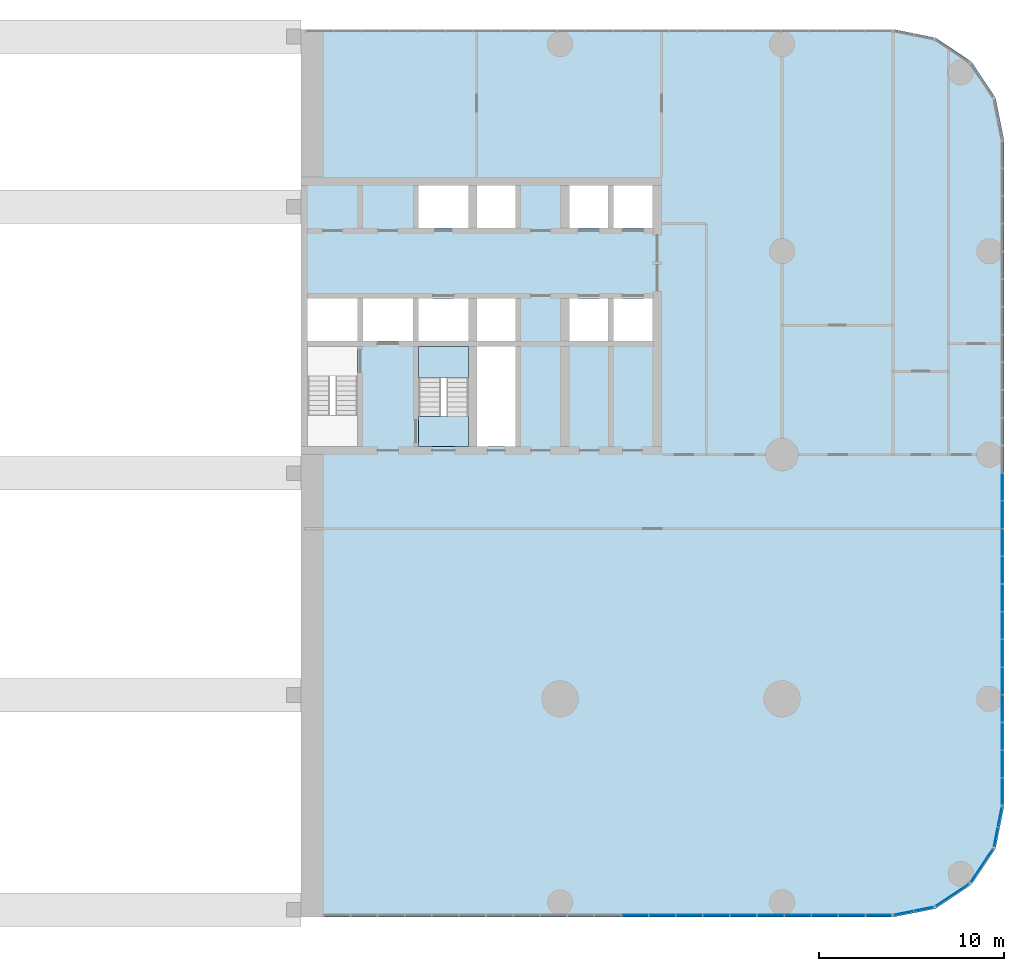
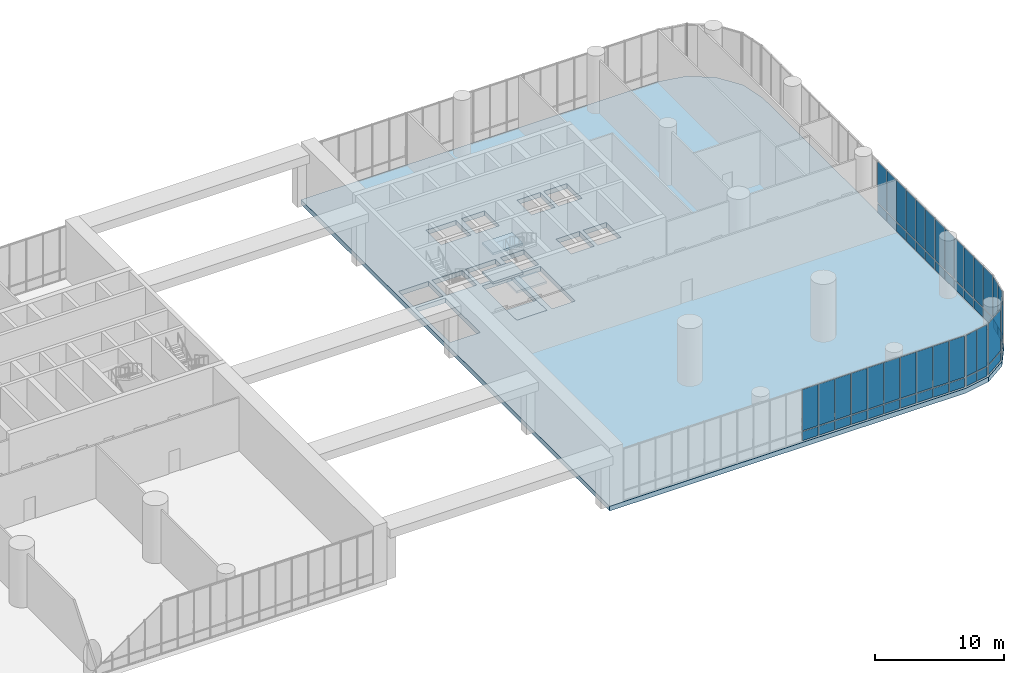
# One storey, part 22 of 30: 56 plates, 5 slabs, 7 elements without a shape of their own.
"""IFC4 building model written with IfcOpenShell, lengths in metres."""

from ifc_helpers import new_model, si_unit, direction, frame, origin, origin_2d, place, context, subcontext, project, spatial, polyline, rectangle, outline, extrude, material, layer, layer_set, type_object, element, aggregate, save


model = new_model("IFC4")

# Units and contexts
model_context = context("Model", 3, precision=1e-05, world=origin(), true_north=direction((0.0, 1.0)))
body_context = subcontext(model_context, "Body", "Model", "MODEL_VIEW")
ifc_project = project(units=[si_unit("LENGTHUNIT", "METRE"), si_unit("AREAUNIT", "SQUARE_METRE"), si_unit("VOLUMEUNIT", "CUBIC_METRE"), si_unit("PLANEANGLEUNIT", "RADIAN"), si_unit("MASSUNIT", "GRAM", prefix="KILO")], contexts=[model_context])

# Site, building, storey
site_placement = place(None, origin())
site = spatial("IfcSite", under=ifc_project, at=site_placement, CompositionType="ELEMENT")
building_placement = place(site_placement, origin())
building = spatial("IfcBuilding", under=site, at=building_placement, Name="Torana Hotel and Residences", CompositionType="ELEMENT")
storey_placement = place(building_placement, frame((0.0, 0.0, 12.5)))
storey = spatial("IfcBuildingStorey", under=building, at=storey_placement, Name="L02", CompositionType="ELEMENT", Elevation=12.5)

# Curtain wall, plates
ifc_material_1 = material(Name="Dark anodised aluminium", Category="aluminium")
ifc_layer_1 = layer(ifc_material_1, 0.14990234375)
ifc_layer_set_1 = layer_set([ifc_layer_1], Name="CW5 PODIUM UPPER UNITISED CURTAIN WALL")
curtain_wall_type = type_object("IfcCurtainWallType", Name="CW5 PODIUM UPPER UNITISED CURTAIN WALL", PredefinedType="NOTDEFINED", material=ifc_layer_set_1)
curtain_wall_1_placement = place(storey_placement, origin())
curtain_wall_1 = element("IfcCurtainWall", 1, at=curtain_wall_1_placement, inside=storey, type_object=curtain_wall_type, Name="Curtain wall CW5 L02 e1.0", PredefinedType="NOTDEFINED")
ifc_material_2 = material(Name="Glass clear low-iron laminated double glazed unit", Category="glass")
ifc_layer_2 = layer(ifc_material_2, 0.035888671875)
ifc_layer_set_2 = layer_set([ifc_layer_2], Name="CW5 DARK GLASS PANEL 36")
plate_type = type_object("IfcPlateType", Name="CW5 DARK GLASS PANEL 36", PredefinedType="CURTAIN_PANEL", material=ifc_layer_set_2)
plate_1_placement = place(storey_placement, frame((28.05322265625, -39.89990234375, 0.099853515625), z_axis=(0.0, 0.0, 1.0), x_axis=(1.0, 0.0, 0.0)))
plate_1 = element("IfcPlate", 2, at=plate_1_placement, type_object=plate_type, Name="CW5 panel 12.1", PredefinedType="CURTAIN_PANEL", context=body_context, shape_type="SweptSolid", body=[
    extrude(rectangle(XDim=1.405517578125, YDim=0.035888671875, at=origin_2d()), origin(), (0.0, 0.0, 1.0), 0.85009765625),
])
plate_2_placement = place(storey_placement, frame((28.05322265625, -39.89990234375, 1.050048828125), z_axis=(0.0, 0.0, 1.0), x_axis=(1.0, 0.0, 0.0)))
plate_2 = element("IfcPlate", 3, at=plate_2_placement, type_object=plate_type, Name="CW5 panel 12.2", PredefinedType="CURTAIN_PANEL", context=body_context, shape_type="SweptSolid", body=[
    extrude(rectangle(XDim=1.405517578125, YDim=0.035888671875, at=origin_2d()), origin(), (0.0, 0.0, 1.0), 3.89990234375),
])
plate_3_placement = place(storey_placement, frame((29.518798828125, -39.89990234375, 0.099853515625), z_axis=(0.0, 0.0, 1.0), x_axis=(1.0, 0.0, 0.0)))
plate_3 = element("IfcPlate", 4, at=plate_3_placement, type_object=plate_type, Name="CW5 panel 13.1", PredefinedType="CURTAIN_PANEL", context=body_context, shape_type="SweptSolid", body=[
    extrude(rectangle(XDim=1.405517578125, YDim=0.035888671875, at=origin_2d()), origin(), (0.0, 0.0, 1.0), 0.85009765625),
])
plate_4_placement = place(storey_placement, frame((29.518798828125, -39.89990234375, 1.050048828125), z_axis=(0.0, 0.0, 1.0), x_axis=(1.0, 0.0, 0.0)))
plate_4 = element("IfcPlate", 5, at=plate_4_placement, type_object=plate_type, Name="CW5 panel 13.2", PredefinedType="CURTAIN_PANEL", context=body_context, shape_type="SweptSolid", body=[
    extrude(rectangle(XDim=1.405517578125, YDim=0.035888671875, at=origin_2d()), origin(), (0.0, 0.0, 1.0), 3.89990234375),
])
plate_5_placement = place(storey_placement, frame((30.984130859375, -39.89990234375, 0.099853515625), z_axis=(0.0, 0.0, 1.0), x_axis=(1.0, 0.0, 0.0)))
plate_5 = element("IfcPlate", 6, at=plate_5_placement, type_object=plate_type, Name="CW5 panel 14.1", PredefinedType="CURTAIN_PANEL", context=body_context, shape_type="SweptSolid", body=[
    extrude(rectangle(XDim=1.405517578125, YDim=0.035888671875, at=origin_2d()), origin(), (0.0, 0.0, 1.0), 0.85009765625),
])
plate_6_placement = place(storey_placement, frame((30.984130859375, -39.89990234375, 1.050048828125), z_axis=(0.0, 0.0, 1.0), x_axis=(1.0, 0.0, 0.0)))
plate_6 = element("IfcPlate", 7, at=plate_6_placement, type_object=plate_type, Name="CW5 panel 14.2", PredefinedType="CURTAIN_PANEL", context=body_context, shape_type="SweptSolid", body=[
    extrude(rectangle(XDim=1.405517578125, YDim=0.035888671875, at=origin_2d()), origin(), (0.0, 0.0, 1.0), 3.89990234375),
])
plate_7_placement = place(storey_placement, frame((32.44970703125, -39.89990234375, 0.099853515625), z_axis=(0.0, 0.0, 1.0), x_axis=(1.0, 0.0, 0.0)))
plate_7 = element("IfcPlate", 8, at=plate_7_placement, type_object=plate_type, Name="CW5 panel 15.1", PredefinedType="CURTAIN_PANEL", context=body_context, shape_type="SweptSolid", body=[
    extrude(rectangle(XDim=1.405517578125, YDim=0.035888671875, at=origin_2d()), origin(), (0.0, 0.0, 1.0), 0.85009765625),
])
plate_8_placement = place(storey_placement, frame((32.44970703125, -39.89990234375, 1.050048828125), z_axis=(0.0, 0.0, 1.0), x_axis=(1.0, 0.0, 0.0)))
plate_8 = element("IfcPlate", 9, at=plate_8_placement, type_object=plate_type, Name="CW5 panel 15.2", PredefinedType="CURTAIN_PANEL", context=body_context, shape_type="SweptSolid", body=[
    extrude(rectangle(XDim=1.405517578125, YDim=0.035888671875, at=origin_2d()), origin(), (0.0, 0.0, 1.0), 3.89990234375),
])
plate_9_placement = place(storey_placement, frame((33.915283203125, -39.89990234375, 0.099853515625), z_axis=(0.0, 0.0, 1.0), x_axis=(1.0, 0.0, 0.0)))
plate_9 = element("IfcPlate", 10, at=plate_9_placement, type_object=plate_type, Name="CW5 panel 16.1", PredefinedType="CURTAIN_PANEL", context=body_context, shape_type="SweptSolid", body=[
    extrude(rectangle(XDim=1.405517578125, YDim=0.035888671875, at=origin_2d()), origin(), (0.0, 0.0, 1.0), 0.85009765625),
])
plate_10_placement = place(storey_placement, frame((33.915283203125, -39.89990234375, 1.050048828125), z_axis=(0.0, 0.0, 1.0), x_axis=(1.0, 0.0, 0.0)))
plate_10 = element("IfcPlate", 11, at=plate_10_placement, type_object=plate_type, Name="CW5 panel 16.2", PredefinedType="CURTAIN_PANEL", context=body_context, shape_type="SweptSolid", body=[
    extrude(rectangle(XDim=1.405517578125, YDim=0.035888671875, at=origin_2d()), origin(), (0.0, 0.0, 1.0), 3.89990234375),
])
plate_11_placement = place(storey_placement, frame((35.380615234375, -39.89990234375, 0.099853515625), z_axis=(0.0, 0.0, 1.0), x_axis=(1.0, 0.0, 0.0)))
plate_11 = element("IfcPlate", 12, at=plate_11_placement, type_object=plate_type, Name="CW5 panel 17.1", PredefinedType="CURTAIN_PANEL", context=body_context, shape_type="SweptSolid", body=[
    extrude(rectangle(XDim=1.405517578125, YDim=0.035888671875, at=origin_2d()), origin(), (0.0, 0.0, 1.0), 0.85009765625),
])
plate_12_placement = place(storey_placement, frame((35.380615234375, -39.89990234375, 1.050048828125), z_axis=(0.0, 0.0, 1.0), x_axis=(1.0, 0.0, 0.0)))
plate_12 = element("IfcPlate", 13, at=plate_12_placement, type_object=plate_type, Name="CW5 panel 17.2", PredefinedType="CURTAIN_PANEL", context=body_context, shape_type="SweptSolid", body=[
    extrude(rectangle(XDim=1.405517578125, YDim=0.035888671875, at=origin_2d()), origin(), (0.0, 0.0, 1.0), 3.89990234375),
])
plate_13_placement = place(storey_placement, frame((36.84619140625, -39.89990234375, 0.099853515625), z_axis=(0.0, 0.0, 1.0), x_axis=(1.0, 0.0, 0.0)))
plate_13 = element("IfcPlate", 14, at=plate_13_placement, type_object=plate_type, Name="CW5 panel 18.1", PredefinedType="CURTAIN_PANEL", context=body_context, shape_type="SweptSolid", body=[
    extrude(rectangle(XDim=1.405517578125, YDim=0.035888671875, at=origin_2d()), origin(), (0.0, 0.0, 1.0), 0.85009765625),
])
plate_14_placement = place(storey_placement, frame((36.84619140625, -39.89990234375, 1.050048828125), z_axis=(0.0, 0.0, 1.0), x_axis=(1.0, 0.0, 0.0)))
plate_14 = element("IfcPlate", 15, at=plate_14_placement, type_object=plate_type, Name="CW5 panel 18.2", PredefinedType="CURTAIN_PANEL", context=body_context, shape_type="SweptSolid", body=[
    extrude(rectangle(XDim=1.405517578125, YDim=0.035888671875, at=origin_2d()), origin(), (0.0, 0.0, 1.0), 3.89990234375),
])
plate_15_placement = place(storey_placement, frame((38.311767578125, -39.89990234375, 0.099853515625), z_axis=(0.0, 0.0, 1.0), x_axis=(1.0, 0.0, 0.0)))
plate_15 = element("IfcPlate", 16, at=plate_15_placement, type_object=plate_type, Name="CW5 panel 19.1", PredefinedType="CURTAIN_PANEL", context=body_context, shape_type="SweptSolid", body=[
    extrude(rectangle(XDim=1.405517578125, YDim=0.035888671875, at=origin_2d()), origin(), (0.0, 0.0, 1.0), 0.85009765625),
])
plate_16_placement = place(storey_placement, frame((38.311767578125, -39.89990234375, 1.050048828125), z_axis=(0.0, 0.0, 1.0), x_axis=(1.0, 0.0, 0.0)))
plate_16 = element("IfcPlate", 17, at=plate_16_placement, type_object=plate_type, Name="CW5 panel 19.2", PredefinedType="CURTAIN_PANEL", context=body_context, shape_type="SweptSolid", body=[
    extrude(rectangle(XDim=1.405517578125, YDim=0.035888671875, at=origin_2d()), origin(), (0.0, 0.0, 1.0), 3.89990234375),
])
plate_17_placement = place(storey_placement, frame((39.777099609375, -39.89990234375, 0.099853515625), z_axis=(0.0, 0.0, 1.0), x_axis=(1.0, 0.0, 0.0)))
plate_17 = element("IfcPlate", 18, at=plate_17_placement, type_object=plate_type, Name="CW5 panel 20.1", PredefinedType="CURTAIN_PANEL", context=body_context, shape_type="SweptSolid", body=[
    extrude(rectangle(XDim=1.405517578125, YDim=0.035888671875, at=origin_2d()), origin(), (0.0, 0.0, 1.0), 0.85009765625),
])
plate_18_placement = place(storey_placement, frame((39.777099609375, -39.89990234375, 1.050048828125), z_axis=(0.0, 0.0, 1.0), x_axis=(1.0, 0.0, 0.0)))
plate_18 = element("IfcPlate", 19, at=plate_18_placement, type_object=plate_type, Name="CW5 panel 20.2", PredefinedType="CURTAIN_PANEL", context=body_context, shape_type="SweptSolid", body=[
    extrude(rectangle(XDim=1.405517578125, YDim=0.035888671875, at=origin_2d()), origin(), (0.0, 0.0, 1.0), 3.89990234375),
])
plate_19_placement = place(storey_placement, frame((41.2275390625, -39.89990234375, 0.099853515625), z_axis=(0.0, 0.0, 1.0), x_axis=(1.0, 0.0, 0.0)))
plate_19 = element("IfcPlate", 20, at=plate_19_placement, type_object=plate_type, Name="CW5 panel 21.1", PredefinedType="CURTAIN_PANEL", context=body_context, shape_type="SweptSolid", body=[
    extrude(rectangle(XDim=1.37548828125, YDim=0.035888671875, at=origin_2d()), origin(), (0.0, 0.0, 1.0), 0.85009765625),
])
plate_20_placement = place(storey_placement, frame((41.2275390625, -39.89990234375, 1.050048828125), z_axis=(0.0, 0.0, 1.0), x_axis=(1.0, 0.0, 0.0)))
plate_20 = element("IfcPlate", 21, at=plate_20_placement, type_object=plate_type, Name="CW5 panel 21.2", PredefinedType="CURTAIN_PANEL", context=body_context, shape_type="SweptSolid", body=[
    extrude(rectangle(XDim=1.37548828125, YDim=0.035888671875, at=origin_2d()), origin(), (0.0, 0.0, 1.0), 3.89990234375),
])
aggregate(curtain_wall_1, [plate_1, plate_2, plate_3, plate_4, plate_5, plate_6, plate_7, plate_8, plate_9, plate_10, plate_11, plate_12, plate_13, plate_14, plate_15, plate_16, plate_17, plate_18, plate_19, plate_20])

curtain_wall_2_placement = place(storey_placement, origin())
curtain_wall_2 = element("IfcCurtainWall", 22, at=curtain_wall_2_placement, inside=storey, type_object=curtain_wall_type, Name="Curtain wall CW5 L02 e1.1", PredefinedType="NOTDEFINED")
plate_21_placement = place(storey_placement, frame((42.5751953125, -39.78369140625, 0.099853515625), z_axis=(0.0, 0.0, 1.0), x_axis=(0.980787135335, 0.195080996415, 0.0)))
plate_21 = element("IfcPlate", 23, at=plate_21_placement, type_object=plate_type, Name="CW5 panel 1.1", PredefinedType="CURTAIN_PANEL", context=body_context, shape_type="SweptSolid", body=[
    extrude(rectangle(XDim=1.04345703125, YDim=0.035888671875, at=origin_2d()), origin(), (0.0, 0.0, 1.0), 0.85009765625),
])
plate_22_placement = place(storey_placement, frame((42.5751953125, -39.78369140625, 1.050048828125), z_axis=(0.0, 0.0, 1.0), x_axis=(0.980787135335, 0.195080996415, 0.0)))
plate_22 = element("IfcPlate", 24, at=plate_22_placement, type_object=plate_type, Name="CW5 panel 1.2", PredefinedType="CURTAIN_PANEL", context=body_context, shape_type="SweptSolid", body=[
    extrude(rectangle(XDim=1.04345703125, YDim=0.035888671875, at=origin_2d()), origin(), (0.0, 0.0, 1.0), 3.89990234375),
])
plate_23_placement = place(storey_placement, frame((43.6572265625, -39.568359375, 0.099853515625), z_axis=(0.0, 0.0, 1.0), x_axis=(0.980787135335, 0.195080996415, 0.0)))
plate_23 = element("IfcPlate", 25, at=plate_23_placement, type_object=plate_type, Name="CW5 panel 2.1", PredefinedType="CURTAIN_PANEL", context=body_context, shape_type="SweptSolid", body=[
    extrude(rectangle(XDim=1.04345703125, YDim=0.035888671875, at=origin_2d()), origin(), (0.0, 0.0, 1.0), 0.85009765625),
])
plate_24_placement = place(storey_placement, frame((43.6572265625, -39.568359375, 1.050048828125), z_axis=(0.0, 0.0, 1.0), x_axis=(0.980787135335, 0.195080996415, 0.0)))
plate_24 = element("IfcPlate", 26, at=plate_24_placement, type_object=plate_type, Name="CW5 panel 2.2", PredefinedType="CURTAIN_PANEL", context=body_context, shape_type="SweptSolid", body=[
    extrude(rectangle(XDim=1.04345703125, YDim=0.035888671875, at=origin_2d()), origin(), (0.0, 0.0, 1.0), 3.89990234375),
])
aggregate(curtain_wall_2, [plate_21, plate_22, plate_23, plate_24])

curtain_wall_3_placement = place(storey_placement, origin())
curtain_wall_3 = element("IfcCurtainWall", 27, at=curtain_wall_3_placement, inside=storey, type_object=curtain_wall_type, Name="Curtain wall CW5 L02 e1.2", PredefinedType="NOTDEFINED")
plate_25_placement = place(storey_placement, frame((45.2138671875, -38.809814453125, 0.099853515625), z_axis=(0.0, 0.0, 1.0), x_axis=(0.831459585616, 0.555585238723, 0.0)))
plate_25 = element("IfcPlate", 28, at=plate_25_placement, type_object=plate_type, Name="CW5 panel 1.1", PredefinedType="CURTAIN_PANEL", context=body_context, shape_type="SweptSolid", body=[
    extrude(rectangle(XDim=2.12158203125, YDim=0.035888671875, at=origin_2d()), origin(), (0.0, 0.0, 1.0), 0.85009765625),
])
plate_26_placement = place(storey_placement, frame((45.2138671875, -38.809814453125, 1.050048828125), z_axis=(0.0, 0.0, 1.0), x_axis=(0.831459585616, 0.555585238723, 0.0)))
plate_26 = element("IfcPlate", 29, at=plate_26_placement, type_object=plate_type, Name="CW5 panel 1.2", PredefinedType="CURTAIN_PANEL", context=body_context, shape_type="SweptSolid", body=[
    extrude(rectangle(XDim=2.12158203125, YDim=0.035888671875, at=origin_2d()), origin(), (0.0, 0.0, 1.0), 3.89990234375),
])
aggregate(curtain_wall_3, [plate_25, plate_26])

curtain_wall_4_placement = place(storey_placement, origin())
curtain_wall_4 = element("IfcCurtainWall", 30, at=curtain_wall_4_placement, inside=storey, type_object=curtain_wall_type, Name="Curtain wall CW5 L02 e1.3", PredefinedType="NOTDEFINED")
plate_27_placement = place(storey_placement, frame((46.809814453125, -37.2138671875, 0.099853515625), z_axis=(0.0, 0.0, 1.0), x_axis=(0.555585238723, 0.831459585616, 0.0)))
plate_27 = element("IfcPlate", 31, at=plate_27_placement, type_object=plate_type, Name="CW5 panel 1.1", PredefinedType="CURTAIN_PANEL", context=body_context, shape_type="SweptSolid", body=[
    extrude(rectangle(XDim=2.12158203125, YDim=0.035888671875, at=origin_2d()), origin(), (0.0, 0.0, 1.0), 0.85009765625),
])
plate_28_placement = place(storey_placement, frame((46.809814453125, -37.2138671875, 1.050048828125), z_axis=(0.0, 0.0, 1.0), x_axis=(0.555585238723, 0.831459585616, 0.0)))
plate_28 = element("IfcPlate", 32, at=plate_28_placement, type_object=plate_type, Name="CW5 panel 1.2", PredefinedType="CURTAIN_PANEL", context=body_context, shape_type="SweptSolid", body=[
    extrude(rectangle(XDim=2.12158203125, YDim=0.035888671875, at=origin_2d()), origin(), (0.0, 0.0, 1.0), 3.89990234375),
])
aggregate(curtain_wall_4, [plate_27, plate_28])

curtain_wall_5_placement = place(storey_placement, origin())
curtain_wall_5 = element("IfcCurtainWall", 33, at=curtain_wall_5_placement, inside=storey, type_object=curtain_wall_type, Name="Curtain wall CW5 L02 e1.4", PredefinedType="NOTDEFINED")
plate_29_placement = place(storey_placement, frame((47.568359375, -35.6572265625, 0.099853515625), z_axis=(0.0, 0.0, 1.0), x_axis=(0.195080996415, 0.980787135335, 0.0)))
plate_29 = element("IfcPlate", 34, at=plate_29_placement, type_object=plate_type, Name="CW5 panel 1.1", PredefinedType="CURTAIN_PANEL", context=body_context, shape_type="SweptSolid", body=[
    extrude(rectangle(XDim=1.04345703125, YDim=0.035888671875, at=origin_2d()), origin(), (0.0, 0.0, 1.0), 0.85009765625),
])
plate_30_placement = place(storey_placement, frame((47.568359375, -35.6572265625, 1.050048828125), z_axis=(0.0, 0.0, 1.0), x_axis=(0.195080996415, 0.980787135335, 0.0)))
plate_30 = element("IfcPlate", 35, at=plate_30_placement, type_object=plate_type, Name="CW5 panel 1.2", PredefinedType="CURTAIN_PANEL", context=body_context, shape_type="SweptSolid", body=[
    extrude(rectangle(XDim=1.04345703125, YDim=0.035888671875, at=origin_2d()), origin(), (0.0, 0.0, 1.0), 3.89990234375),
])
plate_31_placement = place(storey_placement, frame((47.78369140625, -34.5751953125, 0.099853515625), z_axis=(0.0, 0.0, 1.0), x_axis=(0.195080996415, 0.980787135335, 0.0)))
plate_31 = element("IfcPlate", 36, at=plate_31_placement, type_object=plate_type, Name="CW5 panel 2.1", PredefinedType="CURTAIN_PANEL", context=body_context, shape_type="SweptSolid", body=[
    extrude(rectangle(XDim=1.04345703125, YDim=0.035888671875, at=origin_2d()), origin(), (0.0, 0.0, 1.0), 0.85009765625),
])
plate_32_placement = place(storey_placement, frame((47.78369140625, -34.5751953125, 1.050048828125), z_axis=(0.0, 0.0, 1.0), x_axis=(0.195080996415, 0.980787135335, 0.0)))
plate_32 = element("IfcPlate", 37, at=plate_32_placement, type_object=plate_type, Name="CW5 panel 2.2", PredefinedType="CURTAIN_PANEL", context=body_context, shape_type="SweptSolid", body=[
    extrude(rectangle(XDim=1.04345703125, YDim=0.035888671875, at=origin_2d()), origin(), (0.0, 0.0, 1.0), 3.89990234375),
])
aggregate(curtain_wall_5, [plate_29, plate_30, plate_31, plate_32])

curtain_wall_6_placement = place(storey_placement, origin())
curtain_wall_6 = element("IfcCurtainWall", 38, at=curtain_wall_6_placement, inside=storey, type_object=curtain_wall_type, Name="Curtain wall CW5 L02 e1.5", PredefinedType="NOTDEFINED")
plate_33_placement = place(storey_placement, frame((47.89990234375, -33.21142578125, 0.099853515625), z_axis=(0.0, 0.0, 1.0), x_axis=(0.0, 1.0, 0.0)))
plate_33 = element("IfcPlate", 39, at=plate_33_placement, type_object=plate_type, Name="CW5 panel 1.1", PredefinedType="CURTAIN_PANEL", context=body_context, shape_type="SweptSolid", body=[
    extrude(rectangle(XDim=1.407958984375, YDim=0.035888671875, at=origin_2d()), origin(), (0.0, 0.0, 1.0), 0.85009765625),
])
plate_34_placement = place(storey_placement, frame((47.89990234375, -33.21142578125, 1.050048828125), z_axis=(0.0, 0.0, 1.0), x_axis=(0.0, 1.0, 0.0)))
plate_34 = element("IfcPlate", 40, at=plate_34_placement, type_object=plate_type, Name="CW5 panel 1.2", PredefinedType="CURTAIN_PANEL", context=body_context, shape_type="SweptSolid", body=[
    extrude(rectangle(XDim=1.407958984375, YDim=0.035888671875, at=origin_2d()), origin(), (0.0, 0.0, 1.0), 3.89990234375),
])
plate_35_placement = place(storey_placement, frame((47.89990234375, -31.728515625, 0.099853515625), z_axis=(0.0, 0.0, 1.0), x_axis=(0.0, 1.0, 0.0)))
plate_35 = element("IfcPlate", 41, at=plate_35_placement, type_object=plate_type, Name="CW5 panel 2.1", PredefinedType="CURTAIN_PANEL", context=body_context, shape_type="SweptSolid", body=[
    extrude(rectangle(XDim=1.43798828125, YDim=0.035888671875, at=origin_2d()), origin(), (0.0, 0.0, 1.0), 0.85009765625),
])
plate_36_placement = place(storey_placement, frame((47.89990234375, -31.728515625, 1.050048828125), z_axis=(0.0, 0.0, 1.0), x_axis=(0.0, 1.0, 0.0)))
plate_36 = element("IfcPlate", 42, at=plate_36_placement, type_object=plate_type, Name="CW5 panel 2.2", PredefinedType="CURTAIN_PANEL", context=body_context, shape_type="SweptSolid", body=[
    extrude(rectangle(XDim=1.43798828125, YDim=0.035888671875, at=origin_2d()), origin(), (0.0, 0.0, 1.0), 3.89990234375),
])
plate_37_placement = place(storey_placement, frame((47.89990234375, -30.23046875, 0.099853515625), z_axis=(0.0, 0.0, 1.0), x_axis=(0.0, 1.0, 0.0)))
plate_37 = element("IfcPlate", 43, at=plate_37_placement, type_object=plate_type, Name="CW5 panel 3.1", PredefinedType="CURTAIN_PANEL", context=body_context, shape_type="SweptSolid", body=[
    extrude(rectangle(XDim=1.43798828125, YDim=0.035888671875, at=origin_2d()), origin(), (0.0, 0.0, 1.0), 0.85009765625),
])
plate_38_placement = place(storey_placement, frame((47.89990234375, -30.23046875, 1.050048828125), z_axis=(0.0, 0.0, 1.0), x_axis=(0.0, 1.0, 0.0)))
plate_38 = element("IfcPlate", 44, at=plate_38_placement, type_object=plate_type, Name="CW5 panel 3.2", PredefinedType="CURTAIN_PANEL", context=body_context, shape_type="SweptSolid", body=[
    extrude(rectangle(XDim=1.43798828125, YDim=0.035888671875, at=origin_2d()), origin(), (0.0, 0.0, 1.0), 3.89990234375),
])
plate_39_placement = place(storey_placement, frame((47.89990234375, -28.732666015625, 0.099853515625), z_axis=(0.0, 0.0, 1.0), x_axis=(0.0, 1.0, 0.0)))
plate_39 = element("IfcPlate", 45, at=plate_39_placement, type_object=plate_type, Name="CW5 panel 4.1", PredefinedType="CURTAIN_PANEL", context=body_context, shape_type="SweptSolid", body=[
    extrude(rectangle(XDim=1.43798828125, YDim=0.035888671875, at=origin_2d()), origin(), (0.0, 0.0, 1.0), 0.85009765625),
])
plate_40_placement = place(storey_placement, frame((47.89990234375, -28.732666015625, 1.050048828125), z_axis=(0.0, 0.0, 1.0), x_axis=(0.0, 1.0, 0.0)))
plate_40 = element("IfcPlate", 46, at=plate_40_placement, type_object=plate_type, Name="CW5 panel 4.2", PredefinedType="CURTAIN_PANEL", context=body_context, shape_type="SweptSolid", body=[
    extrude(rectangle(XDim=1.43798828125, YDim=0.035888671875, at=origin_2d()), origin(), (0.0, 0.0, 1.0), 3.89990234375),
])
plate_41_placement = place(storey_placement, frame((47.89990234375, -27.234619140625, 0.099853515625), z_axis=(0.0, 0.0, 1.0), x_axis=(0.0, 1.0, 0.0)))
plate_41 = element("IfcPlate", 47, at=plate_41_placement, type_object=plate_type, Name="CW5 panel 5.1", PredefinedType="CURTAIN_PANEL", context=body_context, shape_type="SweptSolid", body=[
    extrude(rectangle(XDim=1.43798828125, YDim=0.035888671875, at=origin_2d()), origin(), (0.0, 0.0, 1.0), 0.85009765625),
])
plate_42_placement = place(storey_placement, frame((47.89990234375, -27.234619140625, 1.050048828125), z_axis=(0.0, 0.0, 1.0), x_axis=(0.0, 1.0, 0.0)))
plate_42 = element("IfcPlate", 48, at=plate_42_placement, type_object=plate_type, Name="CW5 panel 5.2", PredefinedType="CURTAIN_PANEL", context=body_context, shape_type="SweptSolid", body=[
    extrude(rectangle(XDim=1.43798828125, YDim=0.035888671875, at=origin_2d()), origin(), (0.0, 0.0, 1.0), 3.89990234375),
])
plate_43_placement = place(storey_placement, frame((47.89990234375, -25.736572265625, 0.099853515625), z_axis=(0.0, 0.0, 1.0), x_axis=(0.0, 1.0, 0.0)))
plate_43 = element("IfcPlate", 49, at=plate_43_placement, type_object=plate_type, Name="CW5 panel 6.1", PredefinedType="CURTAIN_PANEL", context=body_context, shape_type="SweptSolid", body=[
    extrude(rectangle(XDim=1.43798828125, YDim=0.035888671875, at=origin_2d()), origin(), (0.0, 0.0, 1.0), 0.85009765625),
])
plate_44_placement = place(storey_placement, frame((47.89990234375, -25.736572265625, 1.050048828125), z_axis=(0.0, 0.0, 1.0), x_axis=(0.0, 1.0, 0.0)))
plate_44 = element("IfcPlate", 50, at=plate_44_placement, type_object=plate_type, Name="CW5 panel 6.2", PredefinedType="CURTAIN_PANEL", context=body_context, shape_type="SweptSolid", body=[
    extrude(rectangle(XDim=1.43798828125, YDim=0.035888671875, at=origin_2d()), origin(), (0.0, 0.0, 1.0), 3.89990234375),
])
plate_45_placement = place(storey_placement, frame((47.89990234375, -24.23876953125, 0.099853515625), z_axis=(0.0, 0.0, 1.0), x_axis=(0.0, 1.0, 0.0)))
plate_45 = element("IfcPlate", 51, at=plate_45_placement, type_object=plate_type, Name="CW5 panel 7.1", PredefinedType="CURTAIN_PANEL", context=body_context, shape_type="SweptSolid", body=[
    extrude(rectangle(XDim=1.43798828125, YDim=0.035888671875, at=origin_2d()), origin(), (0.0, 0.0, 1.0), 0.85009765625),
])
plate_46_placement = place(storey_placement, frame((47.89990234375, -24.23876953125, 1.050048828125), z_axis=(0.0, 0.0, 1.0), x_axis=(0.0, 1.0, 0.0)))
plate_46 = element("IfcPlate", 52, at=plate_46_placement, type_object=plate_type, Name="CW5 panel 7.2", PredefinedType="CURTAIN_PANEL", context=body_context, shape_type="SweptSolid", body=[
    extrude(rectangle(XDim=1.43798828125, YDim=0.035888671875, at=origin_2d()), origin(), (0.0, 0.0, 1.0), 3.89990234375),
])
plate_47_placement = place(storey_placement, frame((47.89990234375, -22.74072265625, 0.099853515625), z_axis=(0.0, 0.0, 1.0), x_axis=(0.0, 1.0, 0.0)))
plate_47 = element("IfcPlate", 53, at=plate_47_placement, type_object=plate_type, Name="CW5 panel 8.1", PredefinedType="CURTAIN_PANEL", context=body_context, shape_type="SweptSolid", body=[
    extrude(rectangle(XDim=1.43798828125, YDim=0.035888671875, at=origin_2d()), origin(), (0.0, 0.0, 1.0), 0.85009765625),
])
plate_48_placement = place(storey_placement, frame((47.89990234375, -22.74072265625, 1.050048828125), z_axis=(0.0, 0.0, 1.0), x_axis=(0.0, 1.0, 0.0)))
plate_48 = element("IfcPlate", 54, at=plate_48_placement, type_object=plate_type, Name="CW5 panel 8.2", PredefinedType="CURTAIN_PANEL", context=body_context, shape_type="SweptSolid", body=[
    extrude(rectangle(XDim=1.43798828125, YDim=0.035888671875, at=origin_2d()), origin(), (0.0, 0.0, 1.0), 3.89990234375),
])
plate_49_placement = place(storey_placement, frame((47.89990234375, -21.242919921875, 0.099853515625), z_axis=(0.0, 0.0, 1.0), x_axis=(0.0, 1.0, 0.0)))
plate_49 = element("IfcPlate", 55, at=plate_49_placement, type_object=plate_type, Name="CW5 panel 9.1", PredefinedType="CURTAIN_PANEL", context=body_context, shape_type="SweptSolid", body=[
    extrude(rectangle(XDim=1.43798828125, YDim=0.035888671875, at=origin_2d()), origin(), (0.0, 0.0, 1.0), 0.85009765625),
])
plate_50_placement = place(storey_placement, frame((47.89990234375, -21.242919921875, 1.050048828125), z_axis=(0.0, 0.0, 1.0), x_axis=(0.0, 1.0, 0.0)))
plate_50 = element("IfcPlate", 56, at=plate_50_placement, type_object=plate_type, Name="CW5 panel 9.2", PredefinedType="CURTAIN_PANEL", context=body_context, shape_type="SweptSolid", body=[
    extrude(rectangle(XDim=1.43798828125, YDim=0.035888671875, at=origin_2d()), origin(), (0.0, 0.0, 1.0), 3.89990234375),
])
plate_51_placement = place(storey_placement, frame((47.89990234375, -19.744873046875, 0.099853515625), z_axis=(0.0, 0.0, 1.0), x_axis=(0.0, 1.0, 0.0)))
plate_51 = element("IfcPlate", 57, at=plate_51_placement, type_object=plate_type, Name="CW5 panel 10.1", PredefinedType="CURTAIN_PANEL", context=body_context, shape_type="SweptSolid", body=[
    extrude(rectangle(XDim=1.43798828125, YDim=0.035888671875, at=origin_2d()), origin(), (0.0, 0.0, 1.0), 0.85009765625),
])
plate_52_placement = place(storey_placement, frame((47.89990234375, -19.744873046875, 1.050048828125), z_axis=(0.0, 0.0, 1.0), x_axis=(0.0, 1.0, 0.0)))
plate_52 = element("IfcPlate", 58, at=plate_52_placement, type_object=plate_type, Name="CW5 panel 10.2", PredefinedType="CURTAIN_PANEL", context=body_context, shape_type="SweptSolid", body=[
    extrude(rectangle(XDim=1.43798828125, YDim=0.035888671875, at=origin_2d()), origin(), (0.0, 0.0, 1.0), 3.89990234375),
])
plate_53_placement = place(storey_placement, frame((47.89990234375, -18.246826171875, 0.099853515625), z_axis=(0.0, 0.0, 1.0), x_axis=(0.0, 1.0, 0.0)))
plate_53 = element("IfcPlate", 59, at=plate_53_placement, type_object=plate_type, Name="CW5 panel 11.1", PredefinedType="CURTAIN_PANEL", context=body_context, shape_type="SweptSolid", body=[
    extrude(rectangle(XDim=1.43798828125, YDim=0.035888671875, at=origin_2d()), origin(), (0.0, 0.0, 1.0), 0.85009765625),
])
plate_54_placement = place(storey_placement, frame((47.89990234375, -18.246826171875, 1.050048828125), z_axis=(0.0, 0.0, 1.0), x_axis=(0.0, 1.0, 0.0)))
plate_54 = element("IfcPlate", 60, at=plate_54_placement, type_object=plate_type, Name="CW5 panel 11.2", PredefinedType="CURTAIN_PANEL", context=body_context, shape_type="SweptSolid", body=[
    extrude(rectangle(XDim=1.43798828125, YDim=0.035888671875, at=origin_2d()), origin(), (0.0, 0.0, 1.0), 3.89990234375),
])
plate_55_placement = place(storey_placement, frame((47.89990234375, -16.7490234375, 0.099853515625), z_axis=(0.0, 0.0, 1.0), x_axis=(0.0, 1.0, 0.0)))
plate_55 = element("IfcPlate", 61, at=plate_55_placement, type_object=plate_type, Name="CW5 panel 12.1", PredefinedType="CURTAIN_PANEL", context=body_context, shape_type="SweptSolid", body=[
    extrude(rectangle(XDim=1.43798828125, YDim=0.035888671875, at=origin_2d()), origin(), (0.0, 0.0, 1.0), 0.85009765625),
])
plate_56_placement = place(storey_placement, frame((47.89990234375, -16.7490234375, 1.050048828125), z_axis=(0.0, 0.0, 1.0), x_axis=(0.0, 1.0, 0.0)))
plate_56 = element("IfcPlate", 62, at=plate_56_placement, type_object=plate_type, Name="CW5 panel 12.2", PredefinedType="CURTAIN_PANEL", context=body_context, shape_type="SweptSolid", body=[
    extrude(rectangle(XDim=1.43798828125, YDim=0.035888671875, at=origin_2d()), origin(), (0.0, 0.0, 1.0), 3.89990234375),
])
aggregate(curtain_wall_6, [plate_33, plate_34, plate_35, plate_36, plate_37, plate_38, plate_39, plate_40, plate_41, plate_42, plate_43, plate_44, plate_45, plate_46, plate_47, plate_48, plate_49, plate_50, plate_51, plate_52, plate_53, plate_54, plate_55, plate_56])

# Slab
ifc_material_3 = material(Name="Concrete C40/50", Category="concrete")
ifc_layer_3 = layer(ifc_material_3, 0.449951171875)
ifc_layer_set_3 = layer_set([ifc_layer_3], Name="FLOOR SLAB PT 450")
slab_type_1 = type_object("IfcSlabType", Name="FLOOR SLAB PT 450", PredefinedType="FLOOR", material=ifc_layer_set_3)
slab_1_placement = place(storey_placement, frame((0.0, 0.0, -0.449951171875)))
element("IfcSlab", 63, at=slab_1_placement, inside=storey, type_object=slab_type_1, Name="Floor slab", PredefinedType="FLOOR", context=body_context, shape_type="SweptSolid", body=[
    extrude(outline(polyline([(10.0, -40.0), (42.0, -40.0), (44.296142578125, -39.543212890625), (46.24267578125, -38.24267578125), (47.543212890625, -36.296142578125), (48.0, -34.0), (48.0, 2.0), (47.543212890625, 4.296142578125), (46.24267578125, 6.24267578125), (44.296142578125, 7.543212890625), (42.0, 8.0), (10.0, 8.0), (10.0, -40.0)]), holes=[polyline([(10.35009765625, -14.550048828125), (13.050048828125, -14.550048828125), (13.050048828125, -9.14990234375), (10.35009765625, -9.14990234375), (10.35009765625, -14.550048828125)]), polyline([(16.35009765625, -14.550048828125), (19.050048828125, -14.550048828125), (19.050048828125, -9.14990234375), (16.35009765625, -9.14990234375), (16.35009765625, -14.550048828125)]), polyline([(16.35009765625, -2.75), (19.050048828125, -2.75), (19.050048828125, -0.449951171875), (16.35009765625, -0.449951171875), (16.35009765625, -2.75)]), polyline([(24.5, -2.75), (26.60009765625, -2.75), (26.60009765625, -0.449951171875), (24.5, -0.449951171875), (24.5, -2.75)]), polyline([(26.89990234375, -2.75), (29.0, -2.75), (29.0, -0.449951171875), (26.89990234375, -0.449951171875), (26.89990234375, -2.75)]), polyline([(24.5, -8.85009765625), (26.60009765625, -8.85009765625), (26.60009765625, -6.550048828125), (24.5, -6.550048828125), (24.5, -8.85009765625)]), polyline([(26.89990234375, -8.85009765625), (29.0, -8.85009765625), (29.0, -6.550048828125), (26.89990234375, -6.550048828125), (26.89990234375, -8.85009765625)]), polyline([(19.5, -2.75), (21.60009765625, -2.75), (21.60009765625, -0.449951171875), (19.5, -0.449951171875), (19.5, -2.75)]), polyline([(19.5, -8.85009765625), (21.60009765625, -8.85009765625), (21.60009765625, -6.550048828125), (19.5, -6.550048828125), (19.5, -8.85009765625)]), polyline([(10.35009765625, -8.85009765625), (13.050048828125, -8.85009765625), (13.050048828125, -6.550048828125), (10.35009765625, -6.550048828125), (10.35009765625, -8.85009765625)]), polyline([(13.35009765625, -8.85009765625), (16.050048828125, -8.85009765625), (16.050048828125, -6.550048828125), (13.35009765625, -6.550048828125), (13.35009765625, -8.85009765625)]), polyline([(16.35009765625, -8.85009765625), (19.050048828125, -8.85009765625), (19.050048828125, -6.550048828125), (16.35009765625, -6.550048828125), (16.35009765625, -8.85009765625)]), polyline([(19.5, -14.550048828125), (21.60009765625, -14.550048828125), (21.60009765625, -9.14990234375), (19.5, -9.14990234375), (19.5, -14.550048828125)])]), origin(), (0.0, 0.0, 1.0), 0.449951171875),
])

# Stair, slabs
ifc_material_4 = material(Name="Concrete C40/50 precast", Category="concrete")
stair_type = type_object("IfcStairType", Name="STAIR ST4 HALF TURN 1200", PredefinedType="HALF_TURN_STAIR", material=ifc_material_4)
stair_placement = place(storey_placement, origin())
stair = element("IfcStair", 64, at=stair_placement, inside=storey, type_object=stair_type, Name="Stair ST4 L02", PredefinedType="HALF_TURN_STAIR")
ifc_material_5 = material(Name="Concrete C40/50 precast", Category="concrete")
ifc_layer_4 = layer(ifc_material_5, 0.199951171875)
ifc_layer_set_4 = layer_set([ifc_layer_4], Name="STAIR LANDING 200")
slab_type_2 = type_object("IfcSlabType", Name="STAIR LANDING 200", PredefinedType="LANDING", material=ifc_layer_set_4)
slab_2_placement = place(storey_placement, frame((0.0, 0.0, 1.175048828125)))
slab_2 = element("IfcSlab", 65, at=slab_2_placement, type_object=slab_type_2, Name="ST4 landing 1", PredefinedType="LANDING", context=body_context, shape_type="SweptSolid", body=[
    extrude(outline(polyline([(16.35009765625, -10.830078125), (19.050048828125, -10.830078125), (19.050048828125, -9.14990234375), (16.35009765625, -9.14990234375), (16.35009765625, -10.830078125)])), origin(), (0.0, 0.0, 1.0), 0.199951171875),
])
slab_3_placement = place(storey_placement, frame((0.0, 0.0, -0.199951171875)))
slab_3 = element("IfcSlab", 66, at=slab_3_placement, type_object=slab_type_2, Name="ST4 landing 2", PredefinedType="LANDING", context=body_context, shape_type="SweptSolid", body=[
    extrude(outline(polyline([(16.35009765625, -14.550048828125), (19.050048828125, -14.550048828125), (19.050048828125, -12.949951171875), (16.35009765625, -12.949951171875), (16.35009765625, -14.550048828125)])), origin(), (0.0, 0.0, 1.0), 0.199951171875),
])
slab_4_placement = place(storey_placement, frame((0.0, 0.0, 3.925048828125)))
slab_4 = element("IfcSlab", 67, at=slab_4_placement, type_object=slab_type_2, Name="ST4 landing 3", PredefinedType="LANDING", context=body_context, shape_type="SweptSolid", body=[
    extrude(outline(polyline([(16.35009765625, -10.830078125), (19.050048828125, -10.830078125), (19.050048828125, -9.14990234375), (16.35009765625, -9.14990234375), (16.35009765625, -10.830078125)])), origin(), (0.0, 0.0, 1.0), 0.199951171875),
])
slab_5_placement = place(storey_placement, frame((0.0, 0.0, 2.550048828125)))
slab_5 = element("IfcSlab", 68, at=slab_5_placement, type_object=slab_type_2, Name="ST4 landing 4", PredefinedType="LANDING", context=body_context, shape_type="SweptSolid", body=[
    extrude(outline(polyline([(16.35009765625, -14.550048828125), (19.050048828125, -14.550048828125), (19.050048828125, -12.949951171875), (16.35009765625, -12.949951171875), (16.35009765625, -14.550048828125)])), origin(), (0.0, 0.0, 1.0), 0.199951171875),
])
aggregate(stair, [slab_2, slab_3, slab_4, slab_5])

save(model, "model.ifc")
